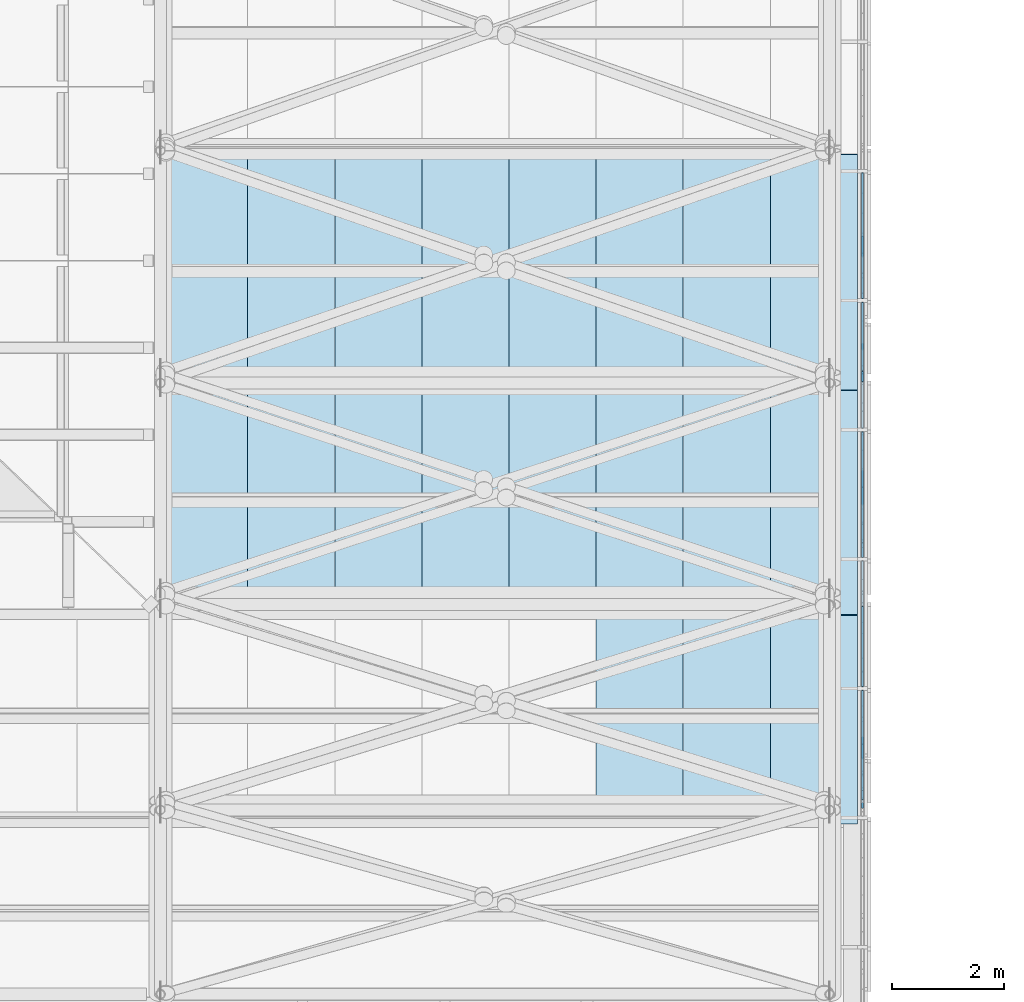
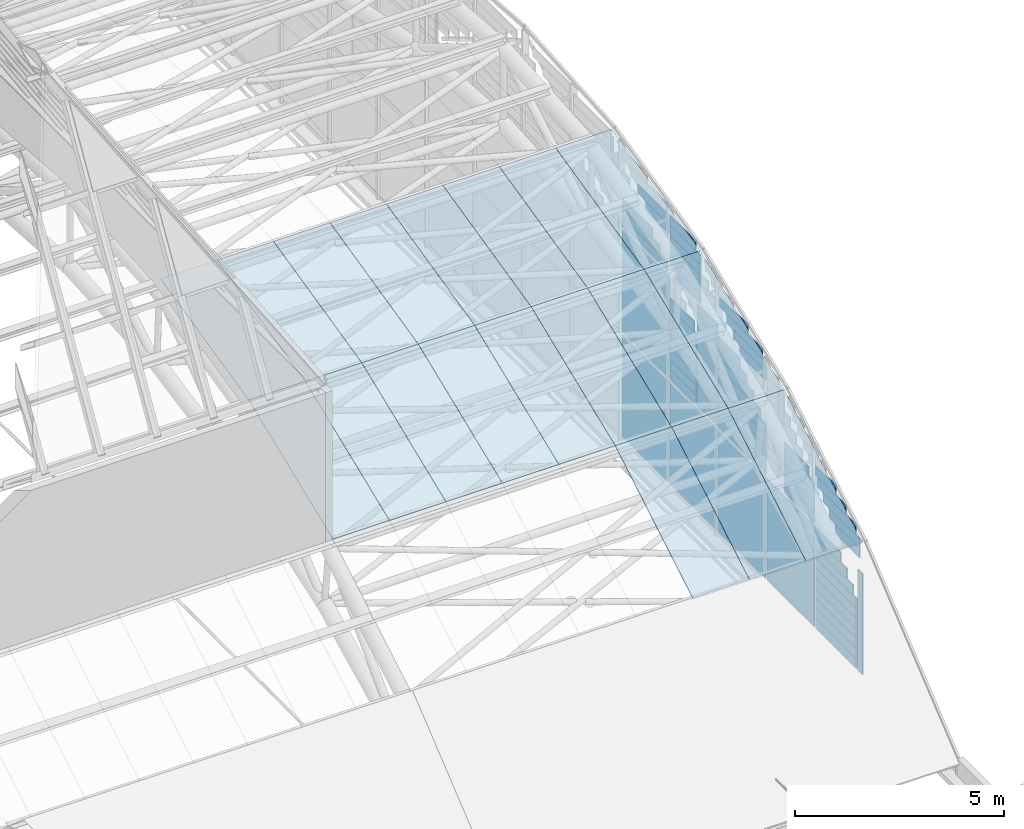
# One storey, part 62 of 110: 78 plates, 1 element without a shape of its own.
"""IFC4 building model written with IfcOpenShell, lengths in metres."""

from ifc_helpers import new_model, si_unit, direction, frame, origin, place, context, subcontext, project, spatial, polyline, outline, extrude, material, layer, layer_set, type_object, element, aggregate, save


model = new_model("IFC4")

# Units and contexts
model_context = context("Model", 3, precision=1e-05, world=origin(), true_north=direction((0.0, 1.0)))
body_context = subcontext(model_context, "Body", "Model", "MODEL_VIEW")
ifc_project = project(units=[si_unit("LENGTHUNIT", "METRE"), si_unit("AREAUNIT", "SQUARE_METRE"), si_unit("VOLUMEUNIT", "CUBIC_METRE"), si_unit("PLANEANGLEUNIT", "RADIAN"), si_unit("MASSUNIT", "GRAM", prefix="KILO")], contexts=[model_context])

# Site, building, storey
site_placement = place(None, origin())
site = spatial("IfcSite", under=ifc_project, at=site_placement, CompositionType="ELEMENT")
building_placement = place(site_placement, origin())
building = spatial("IfcBuilding", under=site, at=building_placement, Name="Windward Yard Aquatics Centre", CompositionType="ELEMENT")
storey_placement = place(building_placement, frame((0.0, 0.0, 22.60009765625)))
storey = spatial("IfcBuildingStorey", under=building, at=storey_placement, Name="L05", CompositionType="ELEMENT", Elevation=22.60009765625)

# Curtain wall, plates
ifc_material_1 = material(Name="Glass and aluminium curtain wall", Category="aluminium")
ifc_layer_1 = layer(ifc_material_1, 0.179931640625)
ifc_layer_set_1 = layer_set([ifc_layer_1], Name="H gable glazing system double glazed 8+16+8")
curtain_wall_type = type_object("IfcCurtainWallType", Name="H gable glazing system double glazed 8+16+8", PredefinedType="NOTDEFINED", material=ifc_layer_set_1)
curtain_wall_placement = place(storey_placement, origin())
curtain_wall = element("IfcCurtainWall", 1, at=curtain_wall_placement, inside=storey, type_object=curtain_wall_type, Name="Gable glazing E", PredefinedType="NOTDEFINED")
ifc_material_2 = material(Name="Low-iron glass", Category="glass")
ifc_layer_2 = layer(ifc_material_2, 0.008, Name="Outer pane")
ifc_material_3 = material(Name="Argon-filled cavity")
ifc_layer_3 = layer(ifc_material_3, 0.016, Name="Cavity")
ifc_layer_4 = layer(ifc_material_2, 0.008, Name="Inner pane")
ifc_layer_set_2 = layer_set([ifc_layer_2, ifc_layer_3, ifc_layer_4], Name="H gable glass low-e double glazed unit 32")
plate_type_1 = type_object("IfcPlateType", Name="H gable glass low-e double glazed unit 32", PredefinedType="CURTAIN_PANEL", material=ifc_layer_set_2)
plate_1_placement = place(storey_placement, frame((144.60595703125, 45.093017578125, 0.099853515625), z_axis=(1.0, 0.0, 0.0), x_axis=(0.0, 1.0, 0.0)))
plate_1 = element("IfcPlate", 2, at=plate_1_placement, type_object=plate_type_1, Name="Gable panel 3.1a", PredefinedType="CURTAIN_PANEL", context=body_context, shape_type="SweptSolid", body=[
    extrude(outline(polyline([(0.0, 0.0), (1.958984, 0.0), (1.958984, 0.294922), (0.0, 0.294922), (0.0, 0.0)])), origin(), (0.0, 0.0, -1.0), 0.031982421875),
])
plate_2_placement = place(storey_placement, frame((144.60595703125, 45.093017578125, 0.39501953125), z_axis=(1.0, 0.0, 0.0), x_axis=(0.0, 1.0, 0.0)))
plate_2 = element("IfcPlate", 3, at=plate_2_placement, type_object=plate_type_1, Name="Gable panel 3.1b", PredefinedType="CURTAIN_PANEL", context=body_context, shape_type="SweptSolid", body=[
    extrude(outline(polyline([(0.0, 0.0), (1.958984, 0.0), (1.958984, 0.294678), (0.0, 0.294678), (0.0, 0.0)])), origin(), (0.0, 0.0, -1.0), 0.031982421875),
])
plate_3_placement = place(storey_placement, frame((144.60595703125, 45.093017578125, 0.690185546875), z_axis=(1.0, 0.0, 0.0), x_axis=(0.0, 1.0, 0.0)))
plate_3 = element("IfcPlate", 4, at=plate_3_placement, type_object=plate_type_1, Name="Gable panel 3.1c", PredefinedType="CURTAIN_PANEL", context=body_context, shape_type="SweptSolid", body=[
    extrude(outline(polyline([(0.0, 0.0), (1.958984, 0.0), (1.958984, 0.294434), (0.0, 0.294434), (0.0, 0.0)])), origin(), (0.0, 0.0, -1.0), 0.031982421875),
])
plate_4_placement = place(storey_placement, frame((144.60595703125, 45.093017578125, 0.985107421875), z_axis=(1.0, 0.0, 0.0), x_axis=(0.0, 1.0, 0.0)))
plate_4 = element("IfcPlate", 5, at=plate_4_placement, type_object=plate_type_1, Name="Gable panel 3.1d", PredefinedType="CURTAIN_PANEL", context=body_context, shape_type="SweptSolid", body=[
    extrude(outline(polyline([(0.0, 0.0), (1.958984, 0.0), (1.958984, 0.294678), (0.0, 0.294678), (0.0, 0.0)])), origin(), (0.0, 0.0, -1.0), 0.031982421875),
])
plate_5_placement = place(storey_placement, frame((144.60595703125, 45.093017578125, 1.280029296875), z_axis=(1.0, 0.0, 0.0), x_axis=(0.0, 1.0, 0.0)))
plate_5 = element("IfcPlate", 6, at=plate_5_placement, type_object=plate_type_1, Name="Gable panel 3.1e", PredefinedType="CURTAIN_PANEL", context=body_context, shape_type="SweptSolid", body=[
    extrude(outline(polyline([(0.0, 0.0), (1.958984, 0.0), (1.958984, 0.294678), (0.0, 0.294678), (0.0, 0.0)])), origin(), (0.0, 0.0, -1.0), 0.031982421875),
])
plate_6_placement = place(storey_placement, frame((144.60595703125, 45.093017578125, 1.5751953125), z_axis=(1.0, 0.0, 0.0), x_axis=(0.0, 1.0, 0.0)))
plate_6 = element("IfcPlate", 7, at=plate_6_placement, type_object=plate_type_1, Name="Gable panel 3.1f", PredefinedType="CURTAIN_PANEL", context=body_context, shape_type="SweptSolid", body=[
    extrude(outline(polyline([(0.0, 0.0), (1.958984, 0.0), (1.958984, 0.294434), (0.0, 0.294434), (0.0, 0.0)])), origin(), (0.0, 0.0, -1.0), 0.031982421875),
])
plate_7_placement = place(storey_placement, frame((144.60595703125, 45.093017578125, 1.8701171875), z_axis=(1.0, 0.0, 0.0), x_axis=(0.0, 1.0, 0.0)))
plate_7 = element("IfcPlate", 8, at=plate_7_placement, type_object=plate_type_1, Name="Gable panel 3.1g", PredefinedType="CURTAIN_PANEL", context=body_context, shape_type="SweptSolid", body=[
    extrude(outline(polyline([(0.0, 0.0), (1.958984, 0.0), (1.958984, 0.294678), (0.0, 0.294678), (0.0, 0.0)])), origin(), (0.0, 0.0, -1.0), 0.031982421875),
])
plate_8_placement = place(storey_placement, frame((144.60595703125, 45.2587890625, 2.1650390625), z_axis=(1.0, 0.0, 0.0), x_axis=(0.0, 1.0, 0.0)))
plate_8 = element("IfcPlate", 9, at=plate_8_placement, type_object=plate_type_1, Name="Gable panel 3.1h", PredefinedType="CURTAIN_PANEL", context=body_context, shape_type="SweptSolid", body=[
    extrude(outline(polyline([(0.0, 0.0), (1.793213, 0.0), (1.793213, 0.294678), (0.0, 0.294678), (0.0, 0.0)])), origin(), (0.0, 0.0, -1.0), 0.031982421875),
])
plate_9_placement = place(storey_placement, frame((144.60595703125, 45.549072265625, 2.460205078125), z_axis=(1.0, 0.0, 0.0), x_axis=(0.0, 1.0, 0.0)))
plate_9 = element("IfcPlate", 10, at=plate_9_placement, type_object=plate_type_1, Name="Gable panel 3.1i", PredefinedType="CURTAIN_PANEL", context=body_context, shape_type="SweptSolid", body=[
    extrude(outline(polyline([(0.0, 0.0), (1.50293, 0.0), (1.50293, 0.294434), (0.0, 0.294434), (0.0, 0.0)])), origin(), (0.0, 0.0, -1.0), 0.031982421875),
])
plate_10_placement = place(storey_placement, frame((144.60595703125, 45.83984375, 2.755126953125), z_axis=(1.0, 0.0, 0.0), x_axis=(0.0, 1.0, 0.0)))
plate_10 = element("IfcPlate", 11, at=plate_10_placement, type_object=plate_type_1, Name="Gable panel 3.1j", PredefinedType="CURTAIN_PANEL", context=body_context, shape_type="SweptSolid", body=[
    extrude(outline(polyline([(0.0, 0.0), (1.212158, 0.0), (1.212158, 0.294678), (0.0, 0.294678), (0.0, 0.0)])), origin(), (0.0, 0.0, -1.0), 0.031982421875),
])
plate_11_placement = place(storey_placement, frame((144.573974609375, 44.7978515625, 0.099853515625), z_axis=(-1.0, 0.0, 0.0), x_axis=(0.0, 0.0, 1.0)))
plate_11 = element("IfcPlate", 12, at=plate_11_placement, type_object=plate_type_1, Name="Gable panel 3.1r", PredefinedType="CURTAIN_PANEL", context=body_context, shape_type="SweptSolid", body=[
    extrude(outline(polyline([(0.0, 0.0), (2.949951, 0.0), (2.949951, 0.238281), (0.0, 0.238281), (0.0, 0.0)])), origin(), (0.0, 0.0, -1.0), 0.031982421875),
])
plate_12_placement = place(storey_placement, frame((144.60595703125, 44.9375, 3.435791015625), z_axis=(1.0, 0.0, 0.0), x_axis=(0.0, 1.0, 0.0)))
plate_12 = element("IfcPlate", 13, at=plate_12_placement, type_object=plate_type_1, Name="Gable panel 3.2d", PredefinedType="CURTAIN_PANEL", context=body_context, shape_type="SweptSolid", body=[
    extrude(outline(polyline([(0.0, 0.0), (1.170166, 0.0), (1.170166, 0.2854), (0.0, 0.2854), (0.0, 0.0)])), origin(), (0.0, 0.0, -1.0), 0.031982421875),
])
plate_13_placement = place(storey_placement, frame((144.60595703125, 44.9375, 3.7216796875), z_axis=(1.0, 0.0, 0.0), x_axis=(0.0, 1.0, 0.0)))
plate_13 = element("IfcPlate", 14, at=plate_13_placement, type_object=plate_type_1, Name="Gable panel 3.2e", PredefinedType="CURTAIN_PANEL", context=body_context, shape_type="SweptSolid", body=[
    extrude(outline(polyline([(0.0, 0.0), (1.451416, 0.0), (1.451416, 0.2854), (0.0, 0.2854), (0.0, 0.0)])), origin(), (0.0, 0.0, -1.0), 0.031982421875),
])
plate_14_placement = place(storey_placement, frame((144.60595703125, 45.122802734375, 4.007568359375), z_axis=(1.0, 0.0, 0.0), x_axis=(0.0, 1.0, 0.0)))
plate_14 = element("IfcPlate", 15, at=plate_14_placement, type_object=plate_type_1, Name="Gable panel 3.2f", PredefinedType="CURTAIN_PANEL", context=body_context, shape_type="SweptSolid", body=[
    extrude(outline(polyline([(0.0, 0.0), (1.547607, 0.0), (1.547607, 0.2854), (0.0, 0.2854), (0.0, 0.0)])), origin(), (0.0, 0.0, -1.0), 0.031982421875),
])
plate_15_placement = place(storey_placement, frame((144.60595703125, 45.60498046875, 4.293212890625), z_axis=(1.0, 0.0, 0.0), x_axis=(0.0, 1.0, 0.0)))
plate_15 = element("IfcPlate", 16, at=plate_15_placement, type_object=plate_type_1, Name="Gable panel 3.2g", PredefinedType="CURTAIN_PANEL", context=body_context, shape_type="SweptSolid", body=[
    extrude(outline(polyline([(0.0, 0.0), (1.346924, 0.0), (1.346924, 0.2854), (0.0, 0.2854), (0.0, 0.0)])), origin(), (0.0, 0.0, -1.0), 0.031982421875),
])
plate_16_placement = place(storey_placement, frame((144.60595703125, 46.087158203125, 4.5791015625), z_axis=(1.0, 0.0, 0.0), x_axis=(0.0, 1.0, 0.0)))
plate_16 = element("IfcPlate", 17, at=plate_16_placement, type_object=plate_type_1, Name="Gable panel 3.2h", PredefinedType="CURTAIN_PANEL", context=body_context, shape_type="SweptSolid", body=[
    extrude(outline(polyline([(0.0, 0.0), (0.964844, 0.0), (0.964844, 0.2854), (0.0, 0.2854), (0.0, 0.0)])), origin(), (0.0, 0.0, -1.0), 0.031982421875),
])
plate_17_placement = place(storey_placement, frame((144.573974609375, 47.1171875, 0.099853515625), z_axis=(-1.0, 0.0, 0.0), x_axis=(0.0, 0.0, 1.0)))
plate_17 = element("IfcPlate", 18, at=plate_17_placement, type_object=plate_type_1, Name="Gable panel 4.1", PredefinedType="CURTAIN_PANEL", context=body_context, shape_type="SweptSolid", body=[
    extrude(outline(polyline([(0.0, 0.0), (2.949951, 0.0), (2.949951, 2.25415), (0.0, 2.25415), (0.0, 0.0)])), origin(), (0.0, 0.0, -1.0), 0.031982421875),
])
plate_18_placement = place(storey_placement, frame((144.60595703125, 47.1171875, 3.14990234375), z_axis=(1.0, 0.0, 0.0), x_axis=(0.0, 1.0, 0.0)))
plate_18 = element("IfcPlate", 19, at=plate_18_placement, type_object=plate_type_1, Name="Gable panel 4.2an", PredefinedType="CURTAIN_PANEL", context=body_context, shape_type="SweptSolid", body=[
    extrude(outline(polyline([(0.0, 0.0), (1.44458, 0.0), (1.44458, 0.295898), (0.0, 0.295898), (0.0, 0.0)])), origin(), (0.0, 0.0, -1.0), 0.031982421875),
])
plate_19_placement = place(storey_placement, frame((144.60595703125, 47.1171875, 3.446044921875), z_axis=(1.0, 0.0, 0.0), x_axis=(0.0, 1.0, 0.0)))
plate_19 = element("IfcPlate", 20, at=plate_19_placement, type_object=plate_type_1, Name="Gable panel 4.2ao", PredefinedType="CURTAIN_PANEL", context=body_context, shape_type="SweptSolid", body=[
    extrude(outline(polyline([(0.0, 0.0), (1.44458, 0.0), (1.44458, 0.295898), (0.0, 0.295898), (0.0, 0.0)])), origin(), (0.0, 0.0, -1.0), 0.031982421875),
])
plate_20_placement = place(storey_placement, frame((144.60595703125, 47.1171875, 3.7421875), z_axis=(1.0, 0.0, 0.0), x_axis=(0.0, 1.0, 0.0)))
plate_20 = element("IfcPlate", 21, at=plate_20_placement, type_object=plate_type_1, Name="Gable panel 4.2ap", PredefinedType="CURTAIN_PANEL", context=body_context, shape_type="SweptSolid", body=[
    extrude(outline(polyline([(0.0, 0.0), (1.44458, 0.0), (1.44458, 0.295654), (0.0, 0.295654), (0.0, 0.0)])), origin(), (0.0, 0.0, -1.0), 0.031982421875),
])
plate_21_placement = place(storey_placement, frame((144.60595703125, 47.1171875, 4.038330078125), z_axis=(1.0, 0.0, 0.0), x_axis=(0.0, 1.0, 0.0)))
plate_21 = element("IfcPlate", 22, at=plate_21_placement, type_object=plate_type_1, Name="Gable panel 4.2aq", PredefinedType="CURTAIN_PANEL", context=body_context, shape_type="SweptSolid", body=[
    extrude(outline(polyline([(0.0, 0.0), (1.44458, 0.0), (1.44458, 0.295654), (0.0, 0.295654), (0.0, 0.0)])), origin(), (0.0, 0.0, -1.0), 0.031982421875),
])
plate_22_placement = place(storey_placement, frame((144.60595703125, 47.3955078125, 4.33447265625), z_axis=(1.0, 0.0, 0.0), x_axis=(0.0, 1.0, 0.0)))
plate_22 = element("IfcPlate", 23, at=plate_22_placement, type_object=plate_type_1, Name="Gable panel 4.2ar", PredefinedType="CURTAIN_PANEL", context=body_context, shape_type="SweptSolid", body=[
    extrude(outline(polyline([(0.0, 0.0), (1.16626, 0.0), (1.16626, 0.295654), (0.0, 0.295654), (0.0, 0.0)])), origin(), (0.0, 0.0, -1.0), 0.031982421875),
])
plate_23_placement = place(storey_placement, frame((144.573974609375, 49.436279296875, 0.099853515625), z_axis=(-1.0, 0.0, 0.0), x_axis=(0.0, 0.0, 1.0)))
plate_23 = element("IfcPlate", 24, at=plate_23_placement, type_object=plate_type_1, Name="Gable panel 5.1", PredefinedType="CURTAIN_PANEL", context=body_context, shape_type="SweptSolid", body=[
    extrude(outline(polyline([(0.0, 0.0), (2.949951, 0.0), (2.949951, 2.254395), (0.0, 2.254395), (0.0, 0.0)])), origin(), (0.0, 0.0, -1.0), 0.031982421875),
])
plate_24_placement = place(storey_placement, frame((144.60595703125, 49.436279296875, 3.14990234375), z_axis=(1.0, 0.0, 0.0), x_axis=(0.0, 1.0, 0.0)))
plate_24 = element("IfcPlate", 25, at=plate_24_placement, type_object=plate_type_1, Name="Gable panel 5.2a", PredefinedType="CURTAIN_PANEL", context=body_context, shape_type="SweptSolid", body=[
    extrude(outline(polyline([(0.0, 0.0), (2.254395, 0.0), (2.254395, 0.293213), (0.0, 0.293213), (0.0, 0.0)])), origin(), (0.0, 0.0, -1.0), 0.031982421875),
])
plate_25_placement = place(storey_placement, frame((144.60595703125, 49.436279296875, 3.443603515625), z_axis=(1.0, 0.0, 0.0), x_axis=(0.0, 1.0, 0.0)))
plate_25 = element("IfcPlate", 26, at=plate_25_placement, type_object=plate_type_1, Name="Gable panel 5.2b", PredefinedType="CURTAIN_PANEL", context=body_context, shape_type="SweptSolid", body=[
    extrude(outline(polyline([(0.0, 0.0), (2.254395, 0.0), (2.254395, 0.292969), (0.0, 0.292969), (0.0, 0.0)])), origin(), (0.0, 0.0, -1.0), 0.031982421875),
])
plate_26_placement = place(storey_placement, frame((144.60595703125, 49.436279296875, 3.737060546875), z_axis=(1.0, 0.0, 0.0), x_axis=(0.0, 1.0, 0.0)))
plate_26 = element("IfcPlate", 27, at=plate_26_placement, type_object=plate_type_1, Name="Gable panel 5.2c", PredefinedType="CURTAIN_PANEL", context=body_context, shape_type="SweptSolid", body=[
    extrude(outline(polyline([(0.0, 0.0), (2.254395, 0.0), (2.254395, 0.292969), (0.0, 0.292969), (0.0, 0.0)])), origin(), (0.0, 0.0, -1.0), 0.031982421875),
])
plate_27_placement = place(storey_placement, frame((144.60595703125, 49.436279296875, 4.0302734375), z_axis=(1.0, 0.0, 0.0), x_axis=(0.0, 1.0, 0.0)))
plate_27 = element("IfcPlate", 28, at=plate_27_placement, type_object=plate_type_1, Name="Gable panel 5.2d", PredefinedType="CURTAIN_PANEL", context=body_context, shape_type="SweptSolid", body=[
    extrude(outline(polyline([(0.0, 0.0), (2.254395, 0.0), (2.254395, 0.293213), (0.0, 0.293213), (0.0, 0.0)])), origin(), (0.0, 0.0, -1.0), 0.031982421875),
])
plate_28_placement = place(storey_placement, frame((144.60595703125, 49.436279296875, 4.32373046875), z_axis=(1.0, 0.0, 0.0), x_axis=(0.0, 1.0, 0.0)))
plate_28 = element("IfcPlate", 29, at=plate_28_placement, type_object=plate_type_1, Name="Gable panel 5.2e", PredefinedType="CURTAIN_PANEL", context=body_context, shape_type="SweptSolid", body=[
    extrude(outline(polyline([(0.0, 0.0), (2.254395, 0.0), (2.254395, 0.293213), (0.0, 0.293213), (0.0, 0.0)])), origin(), (0.0, 0.0, -1.0), 0.031982421875),
])
plate_29_placement = place(storey_placement, frame((144.60595703125, 49.70263671875, 4.6171875), z_axis=(1.0, 0.0, 0.0), x_axis=(0.0, 1.0, 0.0)))
plate_29 = element("IfcPlate", 30, at=plate_29_placement, type_object=plate_type_1, Name="Gable panel 5.2f", PredefinedType="CURTAIN_PANEL", context=body_context, shape_type="SweptSolid", body=[
    extrude(outline(polyline([(0.0, 0.0), (1.988037, 0.0), (1.988037, 0.292969), (0.0, 0.292969), (0.0, 0.0)])), origin(), (0.0, 0.0, -1.0), 0.031982421875),
])
plate_30_placement = place(storey_placement, frame((144.60595703125, 50.033935546875, 4.91064453125), z_axis=(1.0, 0.0, 0.0), x_axis=(0.0, 1.0, 0.0)))
plate_30 = element("IfcPlate", 31, at=plate_30_placement, type_object=plate_type_1, Name="Gable panel 5.2g", PredefinedType="CURTAIN_PANEL", context=body_context, shape_type="SweptSolid", body=[
    extrude(outline(polyline([(0.0, 0.0), (1.656738, 0.0), (1.656738, 0.292969), (0.0, 0.292969), (0.0, 0.0)])), origin(), (0.0, 0.0, -1.0), 0.031982421875),
])
plate_31_placement = place(storey_placement, frame((144.60595703125, 50.365234375, 5.2041015625), z_axis=(1.0, 0.0, 0.0), x_axis=(0.0, 1.0, 0.0)))
plate_31 = element("IfcPlate", 32, at=plate_31_placement, type_object=plate_type_1, Name="Gable panel 5.2h", PredefinedType="CURTAIN_PANEL", context=body_context, shape_type="SweptSolid", body=[
    extrude(outline(polyline([(0.0, 0.0), (1.325439, 0.0), (1.325439, 0.292969), (0.0, 0.292969), (0.0, 0.0)])), origin(), (0.0, 0.0, -1.0), 0.031982421875),
])
plate_32_placement = place(storey_placement, frame((144.60595703125, 50.696533203125, 5.49755859375), z_axis=(1.0, 0.0, 0.0), x_axis=(0.0, 1.0, 0.0)))
plate_32 = element("IfcPlate", 33, at=plate_32_placement, type_object=plate_type_1, Name="Gable panel 5.2i", PredefinedType="CURTAIN_PANEL", context=body_context, shape_type="SweptSolid", body=[
    extrude(outline(polyline([(0.0, 0.0), (0.994141, 0.0), (0.994141, 0.292969), (0.0, 0.292969), (0.0, 0.0)])), origin(), (0.0, 0.0, -1.0), 0.031982421875),
])
plate_33_placement = place(storey_placement, frame((144.60595703125, 49.436279296875, 5.893310546875), z_axis=(1.0, 0.0, 0.0), x_axis=(0.0, 1.0, 0.0)))
plate_33 = element("IfcPlate", 34, at=plate_33_placement, type_object=plate_type_1, Name="Gable panel 5.2o", PredefinedType="CURTAIN_PANEL", context=body_context, shape_type="SweptSolid", body=[
    extrude(outline(polyline([(0.0, 0.0), (1.255859, 0.0), (1.255859, 0.277832), (0.0, 0.277832), (0.0, 0.0)])), origin(), (0.0, 0.0, -1.0), 0.031982421875),
])
plate_34_placement = place(storey_placement, frame((144.60595703125, 49.436279296875, 6.17138671875), z_axis=(1.0, 0.0, 0.0), x_axis=(0.0, 1.0, 0.0)))
plate_34 = element("IfcPlate", 35, at=plate_34_placement, type_object=plate_type_1, Name="Gable panel 5.2p", PredefinedType="CURTAIN_PANEL", context=body_context, shape_type="SweptSolid", body=[
    extrude(outline(polyline([(0.0, 0.0), (1.56958, 0.0), (1.56958, 0.277588), (0.0, 0.277588), (0.0, 0.0)])), origin(), (0.0, 0.0, -1.0), 0.031982421875),
])
plate_35_placement = place(storey_placement, frame((144.60595703125, 49.61474609375, 6.449462890625), z_axis=(1.0, 0.0, 0.0), x_axis=(0.0, 1.0, 0.0)))
plate_35 = element("IfcPlate", 36, at=plate_35_placement, type_object=plate_type_1, Name="Gable panel 5.2q", PredefinedType="CURTAIN_PANEL", context=body_context, shape_type="SweptSolid", body=[
    extrude(outline(polyline([(0.0, 0.0), (1.705078, 0.0), (1.705078, 0.277588), (0.0, 0.277588), (0.0, 0.0)])), origin(), (0.0, 0.0, -1.0), 0.031982421875),
])
plate_36_placement = place(storey_placement, frame((144.60595703125, 50.306396484375, 6.7275390625), z_axis=(1.0, 0.0, 0.0), x_axis=(0.0, 1.0, 0.0)))
plate_36 = element("IfcPlate", 37, at=plate_36_placement, type_object=plate_type_1, Name="Gable panel 5.2r", PredefinedType="CURTAIN_PANEL", context=body_context, shape_type="SweptSolid", body=[
    extrude(outline(polyline([(0.0, 0.0), (1.327148, 0.0), (1.327148, 0.277588), (0.0, 0.277588), (0.0, 0.0)])), origin(), (0.0, 0.0, -1.0), 0.031982421875),
])
plate_37_placement = place(storey_placement, frame((144.573974609375, 51.755615234375, 0.099853515625), z_axis=(-1.0, 0.0, 0.0), x_axis=(0.0, 0.0, 1.0)))
plate_37 = element("IfcPlate", 38, at=plate_37_placement, type_object=plate_type_1, Name="Gable panel 6.1", PredefinedType="CURTAIN_PANEL", context=body_context, shape_type="SweptSolid", body=[
    extrude(outline(polyline([(0.0, 0.0), (2.949951, 0.0), (2.949951, 2.25415), (0.0, 2.25415), (0.0, 0.0)])), origin(), (0.0, 0.0, -1.0), 0.031982421875),
])
plate_38_placement = place(storey_placement, frame((144.60595703125, 52.774169921875, 3.14990234375), z_axis=(1.0, 0.0, 0.0), x_axis=(0.0, 1.0, 0.0)))
plate_38 = element("IfcPlate", 39, at=plate_38_placement, type_object=plate_type_1, Name="Gable panel 6.2a", PredefinedType="CURTAIN_PANEL", context=body_context, shape_type="SweptSolid", body=[
    extrude(outline(polyline([(0.0, 0.0), (1.235596, 0.0), (1.235596, 0.299805), (0.0, 0.299805), (0.0, 0.0)])), origin(), (0.0, 0.0, -1.0), 0.031982421875),
])
plate_39_placement = place(storey_placement, frame((144.60595703125, 52.774169921875, 3.4501953125), z_axis=(1.0, 0.0, 0.0), x_axis=(0.0, 1.0, 0.0)))
plate_39 = element("IfcPlate", 40, at=plate_39_placement, type_object=plate_type_1, Name="Gable panel 6.2b", PredefinedType="CURTAIN_PANEL", context=body_context, shape_type="SweptSolid", body=[
    extrude(outline(polyline([(0.0, 0.0), (1.235596, 0.0), (1.235596, 0.299561), (0.0, 0.299561), (0.0, 0.0)])), origin(), (0.0, 0.0, -1.0), 0.031982421875),
])
plate_40_placement = place(storey_placement, frame((144.60595703125, 52.774169921875, 3.75), z_axis=(1.0, 0.0, 0.0), x_axis=(0.0, 1.0, 0.0)))
plate_40 = element("IfcPlate", 41, at=plate_40_placement, type_object=plate_type_1, Name="Gable panel 6.2c", PredefinedType="CURTAIN_PANEL", context=body_context, shape_type="SweptSolid", body=[
    extrude(outline(polyline([(0.0, 0.0), (1.235596, 0.0), (1.235596, 0.299805), (0.0, 0.299805), (0.0, 0.0)])), origin(), (0.0, 0.0, -1.0), 0.031982421875),
])
plate_41_placement = place(storey_placement, frame((144.60595703125, 52.774169921875, 4.050048828125), z_axis=(1.0, 0.0, 0.0), x_axis=(0.0, 1.0, 0.0)))
plate_41 = element("IfcPlate", 42, at=plate_41_placement, type_object=plate_type_1, Name="Gable panel 6.2d", PredefinedType="CURTAIN_PANEL", context=body_context, shape_type="SweptSolid", body=[
    extrude(outline(polyline([(0.0, 0.0), (1.235596, 0.0), (1.235596, 0.299561), (0.0, 0.299561), (0.0, 0.0)])), origin(), (0.0, 0.0, -1.0), 0.031982421875),
])
plate_42_placement = place(storey_placement, frame((144.60595703125, 52.774169921875, 4.35009765625), z_axis=(1.0, 0.0, 0.0), x_axis=(0.0, 1.0, 0.0)))
plate_42 = element("IfcPlate", 43, at=plate_42_placement, type_object=plate_type_1, Name="Gable panel 6.2e", PredefinedType="CURTAIN_PANEL", context=body_context, shape_type="SweptSolid", body=[
    extrude(outline(polyline([(0.0, 0.0), (1.235596, 0.0), (1.235596, 0.299561), (0.0, 0.299561), (0.0, 0.0)])), origin(), (0.0, 0.0, -1.0), 0.031982421875),
])
plate_43_placement = place(storey_placement, frame((144.60595703125, 52.774169921875, 4.650146484375), z_axis=(1.0, 0.0, 0.0), x_axis=(0.0, 1.0, 0.0)))
plate_43 = element("IfcPlate", 44, at=plate_43_placement, type_object=plate_type_1, Name="Gable panel 6.2f", PredefinedType="CURTAIN_PANEL", context=body_context, shape_type="SweptSolid", body=[
    extrude(outline(polyline([(0.0, 0.0), (1.235596, 0.0), (1.235596, 0.299561), (0.0, 0.299561), (0.0, 0.0)])), origin(), (0.0, 0.0, -1.0), 0.031982421875),
])
plate_44_placement = place(storey_placement, frame((144.60595703125, 52.774169921875, 4.9501953125), z_axis=(1.0, 0.0, 0.0), x_axis=(0.0, 1.0, 0.0)))
plate_44 = element("IfcPlate", 45, at=plate_44_placement, type_object=plate_type_1, Name="Gable panel 6.2g", PredefinedType="CURTAIN_PANEL", context=body_context, shape_type="SweptSolid", body=[
    extrude(outline(polyline([(0.0, 0.0), (1.235596, 0.0), (1.235596, 0.299561), (0.0, 0.299561), (0.0, 0.0)])), origin(), (0.0, 0.0, -1.0), 0.031982421875),
])
plate_45_placement = place(storey_placement, frame((144.60595703125, 52.872314453125, 5.25), z_axis=(1.0, 0.0, 0.0), x_axis=(0.0, 1.0, 0.0)))
plate_45 = element("IfcPlate", 46, at=plate_45_placement, type_object=plate_type_1, Name="Gable panel 6.2h", PredefinedType="CURTAIN_PANEL", context=body_context, shape_type="SweptSolid", body=[
    extrude(outline(polyline([(0.0, 0.0), (1.137451, 0.0), (1.137451, 0.299805), (0.0, 0.299805), (0.0, 0.0)])), origin(), (0.0, 0.0, -1.0), 0.031982421875),
])
plate_46_placement = place(storey_placement, frame((144.573974609375, 51.755615234375, 3.14990234375), z_axis=(-1.0, 0.0, 0.0), x_axis=(0.0, 0.0, 1.0)))
plate_46 = element("IfcPlate", 47, at=plate_46_placement, type_object=plate_type_1, Name="Gable panel 6.2k", PredefinedType="CURTAIN_PANEL", context=body_context, shape_type="SweptSolid", body=[
    extrude(outline(polyline([(0.0, 0.0), (3.0, 0.0), (3.0, 0.970703), (0.0, 0.970703), (0.0, 0.0)])), origin(), (0.0, 0.0, -1.0), 0.031982421875),
])
plate_47_placement = place(storey_placement, frame((144.60595703125, 52.589111328125, 6.25), z_axis=(1.0, 0.0, 0.0), x_axis=(0.0, 1.0, 0.0)))
plate_47 = element("IfcPlate", 48, at=plate_47_placement, type_object=plate_type_1, Name="Gable panel 6.3i", PredefinedType="CURTAIN_PANEL", context=body_context, shape_type="SweptSolid", body=[
    extrude(outline(polyline([(0.0, 0.0), (1.090576, 0.0), (1.090576, 0.282471), (0.0, 0.282471), (0.0, 0.0)])), origin(), (0.0, 0.0, -1.0), 0.031982421875),
])
plate_48_placement = place(storey_placement, frame((144.60595703125, 52.589111328125, 6.532958984375), z_axis=(1.0, 0.0, 0.0), x_axis=(0.0, 1.0, 0.0)))
plate_48 = element("IfcPlate", 49, at=plate_48_placement, type_object=plate_type_1, Name="Gable panel 6.3j", PredefinedType="CURTAIN_PANEL", context=body_context, shape_type="SweptSolid", body=[
    extrude(outline(polyline([(0.0, 0.0), (1.420654, 0.0), (1.420654, 0.282471), (0.0, 0.282471), (0.0, 0.0)])), origin(), (0.0, 0.0, -1.0), 0.031982421875),
])
plate_49_placement = place(storey_placement, frame((144.60595703125, 52.589111328125, 6.81591796875), z_axis=(1.0, 0.0, 0.0), x_axis=(0.0, 1.0, 0.0)))
plate_49 = element("IfcPlate", 50, at=plate_49_placement, type_object=plate_type_1, Name="Gable panel 6.3k", PredefinedType="CURTAIN_PANEL", context=body_context, shape_type="SweptSolid", body=[
    extrude(outline(polyline([(0.0, 0.0), (1.420654, 0.0), (1.420654, 0.282471), (0.0, 0.282471), (0.0, 0.0)])), origin(), (0.0, 0.0, -1.0), 0.031982421875),
])
plate_50_placement = place(storey_placement, frame((144.60595703125, 52.589111328125, 7.0986328125), z_axis=(1.0, 0.0, 0.0), x_axis=(0.0, 1.0, 0.0)))
plate_50 = element("IfcPlate", 51, at=plate_50_placement, type_object=plate_type_1, Name="Gable panel 6.3l", PredefinedType="CURTAIN_PANEL", context=body_context, shape_type="SweptSolid", body=[
    extrude(outline(polyline([(0.0, 0.0), (1.420654, 0.0), (1.420654, 0.282471), (0.0, 0.282471), (0.0, 0.0)])), origin(), (0.0, 0.0, -1.0), 0.031982421875),
])
plate_51_placement = place(storey_placement, frame((144.60595703125, 52.589111328125, 7.381591796875), z_axis=(1.0, 0.0, 0.0), x_axis=(0.0, 1.0, 0.0)))
plate_51 = element("IfcPlate", 52, at=plate_51_placement, type_object=plate_type_1, Name="Gable panel 6.3m", PredefinedType="CURTAIN_PANEL", context=body_context, shape_type="SweptSolid", body=[
    extrude(outline(polyline([(0.0, 0.0), (1.420654, 0.0), (1.420654, 0.282471), (0.0, 0.282471), (0.0, 0.0)])), origin(), (0.0, 0.0, -1.0), 0.031982421875),
])
plate_52_placement = place(storey_placement, frame((144.60595703125, 52.796875, 7.66455078125), z_axis=(1.0, 0.0, 0.0), x_axis=(0.0, 1.0, 0.0)))
plate_52 = element("IfcPlate", 53, at=plate_52_placement, type_object=plate_type_1, Name="Gable panel 6.3n", PredefinedType="CURTAIN_PANEL", context=body_context, shape_type="SweptSolid", body=[
    extrude(outline(polyline([(0.0, 0.0), (1.212891, 0.0), (1.212891, 0.282471), (0.0, 0.282471), (0.0, 0.0)])), origin(), (0.0, 0.0, -1.0), 0.031982421875),
])
plate_53_placement = place(storey_placement, frame((144.573974609375, 54.07470703125, 0.099853515625), z_axis=(-1.0, 0.0, 0.0), x_axis=(0.0, 0.0, 1.0)))
plate_53 = element("IfcPlate", 54, at=plate_53_placement, type_object=plate_type_1, Name="Gable panel 7.1", PredefinedType="CURTAIN_PANEL", context=body_context, shape_type="SweptSolid", body=[
    extrude(outline(polyline([(0.0, 0.0), (2.949951, 0.0), (2.949951, 2.254395), (0.0, 2.254395), (0.0, 0.0)])), origin(), (0.0, 0.0, -1.0), 0.031982421875),
])
plate_54_placement = place(storey_placement, frame((144.573974609375, 54.07470703125, 3.14990234375), z_axis=(-1.0, 0.0, 0.0), x_axis=(0.0, 0.0, 1.0)))
plate_54 = element("IfcPlate", 55, at=plate_54_placement, type_object=plate_type_1, Name="Gable panel 7.2", PredefinedType="CURTAIN_PANEL", context=body_context, shape_type="SweptSolid", body=[
    extrude(outline(polyline([(0.0, 0.0), (3.0, 0.0), (3.0, 2.254395), (0.0, 2.254395), (0.0, 0.0)])), origin(), (0.0, 0.0, -1.0), 0.031982421875),
])
plate_55_placement = place(storey_placement, frame((144.60595703125, 54.1728515625, 6.25), z_axis=(1.0, 0.0, 0.0), x_axis=(0.0, 1.0, 0.0)))
plate_55 = element("IfcPlate", 56, at=plate_55_placement, type_object=plate_type_1, Name="Gable panel 7.3a", PredefinedType="CURTAIN_PANEL", context=body_context, shape_type="SweptSolid", body=[
    extrude(outline(polyline([(0.0, 0.0), (2.15625, 0.0), (2.15625, 0.266846), (0.0, 0.266846), (0.0, 0.0)])), origin(), (0.0, 0.0, -1.0), 0.031982421875),
])
plate_56_placement = place(storey_placement, frame((144.60595703125, 54.5322265625, 6.517333984375), z_axis=(1.0, 0.0, 0.0), x_axis=(0.0, 1.0, 0.0)))
plate_56 = element("IfcPlate", 57, at=plate_56_placement, type_object=plate_type_1, Name="Gable panel 7.3b", PredefinedType="CURTAIN_PANEL", context=body_context, shape_type="SweptSolid", body=[
    extrude(outline(polyline([(0.0, 0.0), (1.796875, 0.0), (1.796875, 0.266846), (0.0, 0.266846), (0.0, 0.0)])), origin(), (0.0, 0.0, -1.0), 0.031982421875),
])
plate_57_placement = place(storey_placement, frame((144.60595703125, 54.891357421875, 6.78466796875), z_axis=(1.0, 0.0, 0.0), x_axis=(0.0, 1.0, 0.0)))
plate_57 = element("IfcPlate", 58, at=plate_57_placement, type_object=plate_type_1, Name="Gable panel 7.3c", PredefinedType="CURTAIN_PANEL", context=body_context, shape_type="SweptSolid", body=[
    extrude(outline(polyline([(0.0, 0.0), (1.437744, 0.0), (1.437744, 0.266846), (0.0, 0.266846), (0.0, 0.0)])), origin(), (0.0, 0.0, -1.0), 0.031982421875),
])
plate_58_placement = place(storey_placement, frame((144.60595703125, 54.07470703125, 7.37939453125), z_axis=(1.0, 0.0, 0.0), x_axis=(0.0, 1.0, 0.0)))
plate_58 = element("IfcPlate", 59, at=plate_58_placement, type_object=plate_type_1, Name="Gable panel 7.3i", PredefinedType="CURTAIN_PANEL", context=body_context, shape_type="SweptSolid", body=[
    extrude(outline(polyline([(0.0, 0.0), (1.123535, 0.0), (1.123535, 0.277832), (0.0, 0.277832), (0.0, 0.0)])), origin(), (0.0, 0.0, -1.0), 0.031982421875),
])
plate_59_placement = place(storey_placement, frame((144.60595703125, 54.07470703125, 7.65771484375), z_axis=(1.0, 0.0, 0.0), x_axis=(0.0, 1.0, 0.0)))
plate_59 = element("IfcPlate", 60, at=plate_59_placement, type_object=plate_type_1, Name="Gable panel 7.3j", PredefinedType="CURTAIN_PANEL", context=body_context, shape_type="SweptSolid", body=[
    extrude(outline(polyline([(0.0, 0.0), (1.497803, 0.0), (1.497803, 0.278076), (0.0, 0.278076), (0.0, 0.0)])), origin(), (0.0, 0.0, -1.0), 0.031982421875),
])
aggregate(curtain_wall, [plate_1, plate_2, plate_3, plate_4, plate_5, plate_6, plate_7, plate_8, plate_9, plate_10, plate_11, plate_12, plate_13, plate_14, plate_15, plate_16, plate_17, plate_18, plate_19, plate_20, plate_21, plate_22, plate_23, plate_24, plate_25, plate_26, plate_27, plate_28, plate_29, plate_30, plate_31, plate_32, plate_33, plate_34, plate_35, plate_36, plate_37, plate_38, plate_39, plate_40, plate_41, plate_42, plate_43, plate_44, plate_45, plate_46, plate_47, plate_48, plate_49, plate_50, plate_51, plate_52, plate_53, plate_54, plate_55, plate_56, plate_57, plate_58, plate_59])

# Plates
ifc_material_4 = material(Name="Translucent multiwall polycarbonate sheet")
ifc_layer_5 = layer(ifc_material_4, 0.031982421875)
ifc_layer_set_3 = layer_set([ifc_layer_5], Name="H translucent roof sheet multiwall polycarbonate 32")
plate_type_2 = type_object("IfcPlateType", Name="H translucent roof sheet multiwall polycarbonate 32", PredefinedType="SHEET", material=ifc_layer_set_3)
for number, where, z_axis, x_axis, name in (
    (61, (139.814453125, 26.0, 0.0), (1.0, 0.0, 0.0), (0.0, 1.0, 0.0), "Daylight roof sheet bay 7 facet 2 sheet 6"),
    (62, (141.376953125, 26.0, 0.0), (1.0, 0.0, 0.0), (0.0, 1.0, 0.0), "Daylight roof sheet bay 7 facet 2 sheet 7"),
    (63, (142.939453125, 26.0, 0.0), (1.0, 0.0, 0.0), (0.0, 1.0, 0.0), "Daylight roof sheet bay 7 facet 2 sheet 8"),
):
    element("IfcPlate", number, at=place(storey_placement, frame(where, z_axis=z_axis, x_axis=x_axis)), inside=storey, type_object=plate_type_2, Name=name, PredefinedType="SHEET", context=body_context, shape_type="SweptSolid", body=[
        extrude(outline(polyline([(18.67431640625, 4.050537109375), (22.41064453125, 6.2646484375), (22.396240234375, 6.29345703125), (18.656005859375, 4.076904296875), (18.67431640625, 4.050537109375)])), origin(), (0.0, 0.0, 1.0), 1.55859375),
    ])
for number, where, z_axis, x_axis, name in (
    (64, (132.001953125, 26.0, 0.0), (1.0, 0.0, 0.0), (0.0, 1.0, 0.0), "Daylight roof sheet bay 7 facet 3 sheet 1"),
    (65, (133.564453125, 26.0, 0.0), (1.0, 0.0, 0.0), (0.0, 1.0, 0.0), "Daylight roof sheet bay 7 facet 3 sheet 2"),
    (66, (135.126953125, 26.0, 0.0), (1.0, 0.0, 0.0), (0.0, 1.0, 0.0), "Daylight roof sheet bay 7 facet 3 sheet 3"),
    (67, (136.689453125, 26.0, 0.0), (1.0, 0.0, 0.0), (0.0, 1.0, 0.0), "Daylight roof sheet bay 7 facet 3 sheet 4"),
    (68, (138.251953125, 26.0, 0.0), (1.0, 0.0, 0.0), (0.0, 1.0, 0.0), "Daylight roof sheet bay 7 facet 3 sheet 5"),
    (69, (139.814453125, 26.0, 0.0), (1.0, 0.0, 0.0), (0.0, 1.0, 0.0), "Daylight roof sheet bay 7 facet 3 sheet 6"),
    (70, (141.376953125, 26.0, 0.0), (1.0, 0.0, 0.0), (0.0, 1.0, 0.0), "Daylight roof sheet bay 7 facet 3 sheet 7"),
    (71, (142.939453125, 26.0, 0.0), (1.0, 0.0, 0.0), (0.0, 1.0, 0.0), "Daylight roof sheet bay 7 facet 3 sheet 8"),
):
    element("IfcPlate", number, at=place(storey_placement, frame(where, z_axis=z_axis, x_axis=x_axis)), inside=storey, type_object=plate_type_2, Name=name, PredefinedType="SHEET", context=body_context, shape_type="SweptSolid", body=[
        extrude(outline(polyline([(22.41064453125, 6.2646484375), (26.440185546875, 7.88427734375), (26.4306640625, 7.914794921875), (22.396240234375, 6.29345703125), (22.41064453125, 6.2646484375)])), origin(), (0.0, 0.0, 1.0), 1.55859375),
    ])
for number, where, z_axis, x_axis, name in (
    (72, (132.001953125, 26.0, 0.0), (1.0, 0.0, 0.0), (0.0, 1.0, 0.0), "Daylight roof sheet bay 7 facet 4 sheet 1"),
    (73, (133.564453125, 26.0, 0.0), (1.0, 0.0, 0.0), (0.0, 1.0, 0.0), "Daylight roof sheet bay 7 facet 4 sheet 2"),
    (74, (135.126953125, 26.0, 0.0), (1.0, 0.0, 0.0), (0.0, 1.0, 0.0), "Daylight roof sheet bay 7 facet 4 sheet 3"),
    (75, (136.689453125, 26.0, 0.0), (1.0, 0.0, 0.0), (0.0, 1.0, 0.0), "Daylight roof sheet bay 7 facet 4 sheet 4"),
    (76, (138.251953125, 26.0, 0.0), (1.0, 0.0, 0.0), (0.0, 1.0, 0.0), "Daylight roof sheet bay 7 facet 4 sheet 5"),
    (77, (139.814453125, 26.0, 0.0), (1.0, 0.0, 0.0), (0.0, 1.0, 0.0), "Daylight roof sheet bay 7 facet 4 sheet 6"),
    (78, (141.376953125, 26.0, 0.0), (1.0, 0.0, 0.0), (0.0, 1.0, 0.0), "Daylight roof sheet bay 7 facet 4 sheet 7"),
    (79, (142.939453125, 26.0, 0.0), (1.0, 0.0, 0.0), (0.0, 1.0, 0.0), "Daylight roof sheet bay 7 facet 4 sheet 8"),
):
    element("IfcPlate", number, at=place(storey_placement, frame(where, z_axis=z_axis, x_axis=x_axis)), inside=storey, type_object=plate_type_2, Name=name, PredefinedType="SHEET", context=body_context, shape_type="SweptSolid", body=[
        extrude(outline(polyline([(26.440185546875, 7.88427734375), (30.669677734375, 8.871337890625), (30.664794921875, 8.903076171875), (26.4306640625, 7.914794921875), (26.440185546875, 7.88427734375)])), origin(), (0.0, 0.0, 1.0), 1.55859375),
    ])

save(model, "model.ifc")
